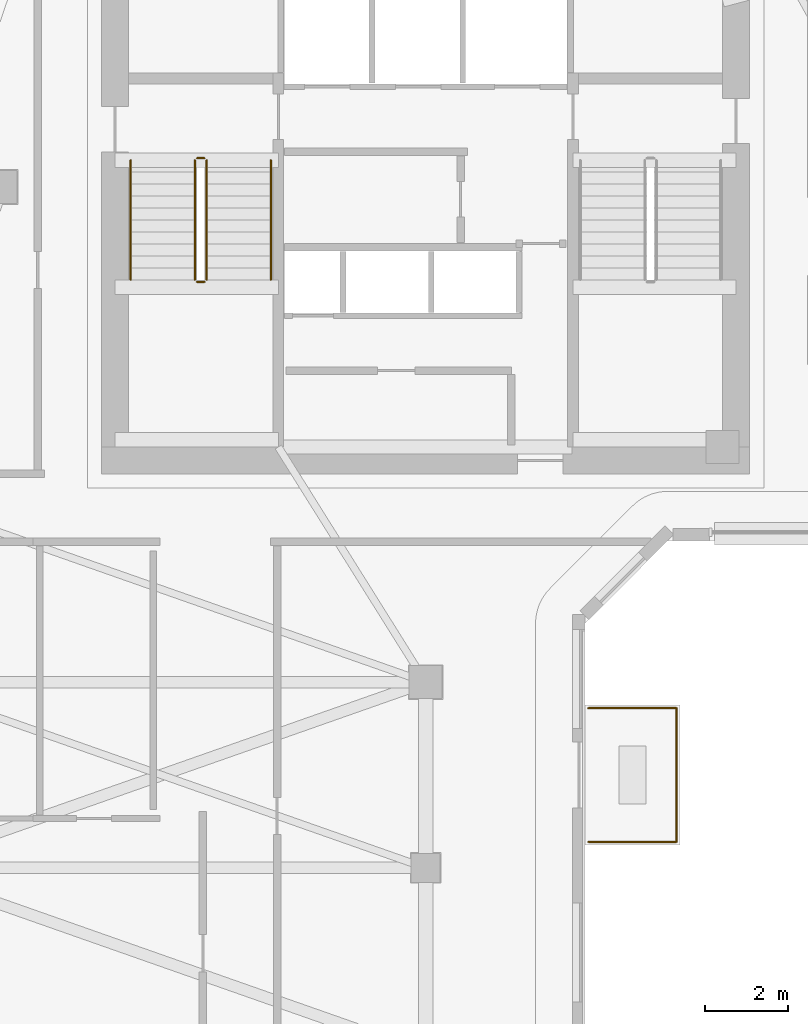
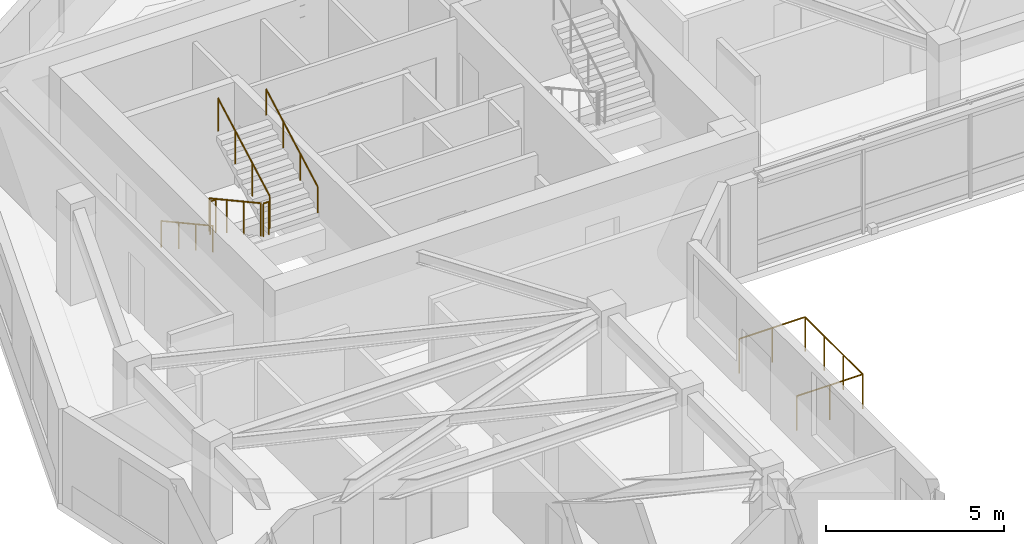
# One storey, part 8 of 10: 9 railings.
"""IFC4 building model written with IfcOpenShell, lengths in metres."""

from ifc_helpers import new_model, si_unit, direction, frame, origin, origin_2d, place, context, subcontext, project, spatial, circle, extrude, material, type_object, element, save


model = new_model("IFC4")

# Units and contexts
model_context = context("Model", 3, precision=1e-05, world=origin(), true_north=direction((0.0, 1.0)))
body_context = subcontext(model_context, "Body", "Model", "MODEL_VIEW")
ifc_project = project(units=[si_unit("LENGTHUNIT", "METRE"), si_unit("AREAUNIT", "SQUARE_METRE"), si_unit("VOLUMEUNIT", "CUBIC_METRE"), si_unit("PLANEANGLEUNIT", "RADIAN"), si_unit("MASSUNIT", "GRAM", prefix="KILO")], contexts=[model_context])

# Site, building, storey
site_placement = place(None, origin())
site = spatial("IfcSite", under=ifc_project, at=site_placement, CompositionType="ELEMENT")
building_placement = place(site_placement, origin())
building = spatial("IfcBuilding", under=site, at=building_placement, Name="Calvemar Wedge Station Tower", CompositionType="ELEMENT")
storey_placement = place(building_placement, frame((0.0, 0.0, 193.89990234375)))
storey = spatial("IfcBuildingStorey", under=building, at=storey_placement, Name="L48", CompositionType="ELEMENT", Elevation=193.89990234375)

# Railings
ifc_material_1 = material(Name="Stainless steel AISI 316L", Category="steel")
railing_type_1 = type_object("IfcRailingType", Name="GRD-TERR-1200", PredefinedType="GUARDRAIL", material=ifc_material_1)
railing_1_placement = place(storey_placement, frame((27.743896484375, 27.8701171875, 0.0)))
element("IfcRailing", 1, at=railing_1_placement, inside=storey, type_object=railing_type_1, Name="Storey L48 Spiral Terrace Guard 2", PredefinedType="GUARDRAIL", context=body_context, shape_type="SweptSolid", body=[
    extrude(circle(Radius=0.02392578125, at=origin_2d()), frame((0.0, 0.0, 1.17578125), z_axis=(1.0, 0.0, 0.0), x_axis=(0.0, 1.0, 0.0)), (0.0, 0.0, 1.0), 2.14013671875),
    extrude(circle(Radius=0.02099609375, at=origin_2d()), origin(), (0.0, 0.0, 1.0), 1.15185546875),
    extrude(circle(Radius=0.02099609375, at=origin_2d()), frame((1.070068359375, 0.0, 0.0)), (0.0, 0.0, 1.0), 1.15185546875),
    extrude(circle(Radius=0.02099609375, at=origin_2d()), frame((2.14013671875, 0.0, 0.0)), (0.0, 0.0, 1.0), 1.15185546875),
])
railing_2_placement = place(storey_placement, frame((29.884033203125, 27.8701171875, 0.0)))
element("IfcRailing", 2, at=railing_2_placement, inside=storey, type_object=railing_type_1, Name="Storey L48 Spiral Terrace Guard 3", PredefinedType="GUARDRAIL", context=body_context, shape_type="SweptSolid", body=[
    extrude(circle(Radius=0.02392578125, at=origin_2d()), frame((0.0, 0.0, 1.17578125), z_axis=(0.0, -1.0, 0.0), x_axis=(1.0, 0.0, 0.0)), (0.0, 0.0, 1.0), 3.240234375),
    extrude(circle(Radius=0.02099609375, at=origin_2d()), origin(), (0.0, 0.0, 1.0), 1.15185546875),
    extrude(circle(Radius=0.02099609375, at=origin_2d()), frame((0.0, -1.080078125, 0.0)), (0.0, 0.0, 1.0), 1.15185546875),
    extrude(circle(Radius=0.02099609375, at=origin_2d()), frame((0.0, -2.16015625, 0.0)), (0.0, 0.0, 1.0), 1.15185546875),
    extrude(circle(Radius=0.02099609375, at=origin_2d()), frame((0.0, -3.240234375, 0.0)), (0.0, 0.0, 1.0), 1.15185546875),
])
railing_3_placement = place(storey_placement, frame((29.884033203125, 24.6298828125, 0.0)))
element("IfcRailing", 3, at=railing_3_placement, inside=storey, type_object=railing_type_1, Name="Storey L48 Spiral Terrace Guard 4", PredefinedType="GUARDRAIL", context=body_context, shape_type="SweptSolid", body=[
    extrude(circle(Radius=0.02392578125, at=origin_2d()), frame((0.0, 0.0, 1.17578125), z_axis=(-1.0, 0.0, 0.0), x_axis=(0.0, -1.0, 0.0)), (0.0, 0.0, 1.0), 2.14013671875),
    extrude(circle(Radius=0.02099609375, at=origin_2d()), origin(), (0.0, 0.0, 1.0), 1.15185546875),
    extrude(circle(Radius=0.02099609375, at=origin_2d()), frame((-1.070068359375, 0.0, 0.0)), (0.0, 0.0, 1.0), 1.15185546875),
    extrude(circle(Radius=0.02099609375, at=origin_2d()), frame((-2.14013671875, 0.0, 0.0)), (0.0, 0.0, 1.0), 1.15185546875),
])
railing_type_2 = type_object("IfcRailingType", Name="RL-HANDRAIL-920", PredefinedType="HANDRAIL", material=ifc_material_1)
railing_4_placement = place(storey_placement, frame((16.64990234375, 41.14990234375, 0.1591796875)))
element("IfcRailing", 4, at=railing_4_placement, inside=storey, type_object=railing_type_2, Name="L48 ST-C1 stair handrail 1", PredefinedType="HANDRAIL", context=body_context, shape_type="SweptSolid", body=[
    extrude(circle(Radius=0.02392578125, at=origin_2d()), frame((0.0, 0.0, 0.89599609375), z_axis=(0.0, -0.876742130028, 0.480960744171), x_axis=(1.0, 0.0, 0.0)), (0.0, 0.0, 1.0), 3.3076171875),
    extrude(circle(Radius=0.02099609375, at=origin_2d()), origin(), (0.0, 0.0, 1.0), 0.871826171875),
    extrude(circle(Radius=0.02099609375, at=origin_2d()), frame((0.0, -0.966552734375, 0.5302734375)), (0.0, 0.0, 1.0), 0.871826171875),
    extrude(circle(Radius=0.02099609375, at=origin_2d()), frame((0.0, -1.933349609375, 1.060546875)), (0.0, 0.0, 1.0), 0.871826171875),
    extrude(circle(Radius=0.02099609375, at=origin_2d()), frame((0.0, -2.89990234375, 1.5908203125)), (0.0, 0.0, 1.0), 0.871826171875),
])
railing_5_placement = place(storey_placement, frame((20.050048828125, 38.25, 1.9091796875)))
element("IfcRailing", 5, at=railing_5_placement, inside=storey, type_object=railing_type_2, Name="L48 ST-C1 stair handrail 2", PredefinedType="HANDRAIL", context=body_context, shape_type="SweptSolid", body=[
    extrude(circle(Radius=0.02392578125, at=origin_2d()), frame((0.0, 0.0, 0.89599609375), z_axis=(0.0, 0.876742130028, 0.480960744171), x_axis=(-1.0, 0.0, 0.0)), (0.0, 0.0, 1.0), 3.3076171875),
    extrude(circle(Radius=0.02099609375, at=origin_2d()), origin(), (0.0, 0.0, 1.0), 0.871826171875),
    extrude(circle(Radius=0.02099609375, at=origin_2d()), frame((0.0, 0.966552734375, 0.5302734375)), (0.0, 0.0, 1.0), 0.871826171875),
    extrude(circle(Radius=0.02099609375, at=origin_2d()), frame((0.0, 1.933349609375, 1.060546875)), (0.0, 0.0, 1.0), 0.871826171875),
    extrude(circle(Radius=0.02099609375, at=origin_2d()), frame((0.0, 2.89990234375, 1.5908203125)), (0.0, 0.0, 1.0), 0.871826171875),
])
ifc_material_2 = material(Name="Painted steel guardrail ASTM A500 Grade C", Category="steel")
railing_type_3 = type_object("IfcRailingType", Name="RL-STAIR-GUARD-1150", PredefinedType="GUARDRAIL", material=ifc_material_2)
railing_6_placement = place(storey_placement, frame((18.2099609375, 41.14990234375, 0.1591796875)))
element("IfcRailing", 6, at=railing_6_placement, inside=storey, type_object=railing_type_3, Name="L48 ST-C1 stair guard 1", PredefinedType="GUARDRAIL", context=body_context, shape_type="SweptSolid", body=[
    extrude(circle(Radius=0.02392578125, at=origin_2d()), frame((0.0, 0.0, 1.1259765625), z_axis=(0.0, -0.876742130028, 0.480960744171), x_axis=(1.0, 0.0, 0.0)), (0.0, 0.0, 1.0), 3.3076171875),
    extrude(circle(Radius=0.02099609375, at=origin_2d()), origin(), (0.0, 0.0, 1.0), 1.101806640625),
    extrude(circle(Radius=0.02099609375, at=origin_2d()), frame((0.0, -0.966552734375, 0.5302734375)), (0.0, 0.0, 1.0), 1.101806640625),
    extrude(circle(Radius=0.02099609375, at=origin_2d()), frame((0.0, -1.933349609375, 1.060546875)), (0.0, 0.0, 1.0), 1.101806640625),
    extrude(circle(Radius=0.02099609375, at=origin_2d()), frame((0.0, -2.89990234375, 1.5908203125)), (0.0, 0.0, 1.0), 1.101806640625),
])
railing_7_placement = place(storey_placement, frame((18.260009765625, 38.199951171875, 1.75)))
element("IfcRailing", 7, at=railing_7_placement, inside=storey, type_object=railing_type_3, Name="L48 ST-C1 stair guard 2", PredefinedType="GUARDRAIL", context=body_context, shape_type="SweptSolid", body=[
    extrude(circle(Radius=0.02392578125, at=origin_2d()), frame((0.0, 0.0, 1.1259765625), z_axis=(1.0, 0.0, 0.0), x_axis=(0.0, 1.0, 0.0)), (0.0, 0.0, 1.0), 0.179931640625),
    extrude(circle(Radius=0.02099609375, at=origin_2d()), origin(), (0.0, 0.0, 1.0), 1.101806640625),
    extrude(circle(Radius=0.02099609375, at=origin_2d()), frame((0.179931640625, 0.0, 0.0)), (0.0, 0.0, 1.0), 1.101806640625),
])
railing_8_placement = place(storey_placement, frame((18.489990234375, 38.25, 1.9091796875)))
element("IfcRailing", 8, at=railing_8_placement, inside=storey, type_object=railing_type_3, Name="L48 ST-C1 stair guard 3", PredefinedType="GUARDRAIL", context=body_context, shape_type="SweptSolid", body=[
    extrude(circle(Radius=0.02392578125, at=origin_2d()), frame((0.0, 0.0, 1.1259765625), z_axis=(0.0, 0.876742130028, 0.480960744171), x_axis=(-1.0, 0.0, 0.0)), (0.0, 0.0, 1.0), 3.3076171875),
    extrude(circle(Radius=0.02099609375, at=origin_2d()), origin(), (0.0, 0.0, 1.0), 1.101806640625),
    extrude(circle(Radius=0.02099609375, at=origin_2d()), frame((0.0, 0.966552734375, 0.5302734375)), (0.0, 0.0, 1.0), 1.101806640625),
    extrude(circle(Radius=0.02099609375, at=origin_2d()), frame((0.0, 1.933349609375, 1.060546875)), (0.0, 0.0, 1.0), 1.101806640625),
    extrude(circle(Radius=0.02099609375, at=origin_2d()), frame((0.0, 2.89990234375, 1.5908203125)), (0.0, 0.0, 1.0), 1.101806640625),
])
railing_9_placement = place(storey_placement, frame((18.260009765625, 41.199951171875, 0.0)))
element("IfcRailing", 9, at=railing_9_placement, inside=storey, type_object=railing_type_3, Name="L48 ST-C1 stair guard 4", PredefinedType="GUARDRAIL", context=body_context, shape_type="SweptSolid", body=[
    extrude(circle(Radius=0.02392578125, at=origin_2d()), frame((0.0, 0.0, 1.1259765625), z_axis=(1.0, 0.0, 0.0), x_axis=(0.0, 1.0, 0.0)), (0.0, 0.0, 1.0), 0.179931640625),
    extrude(circle(Radius=0.02099609375, at=origin_2d()), origin(), (0.0, 0.0, 1.0), 1.101806640625),
    extrude(circle(Radius=0.02099609375, at=origin_2d()), frame((0.179931640625, 0.0, 0.0)), (0.0, 0.0, 1.0), 1.101806640625),
])

save(model, "model.ifc")
